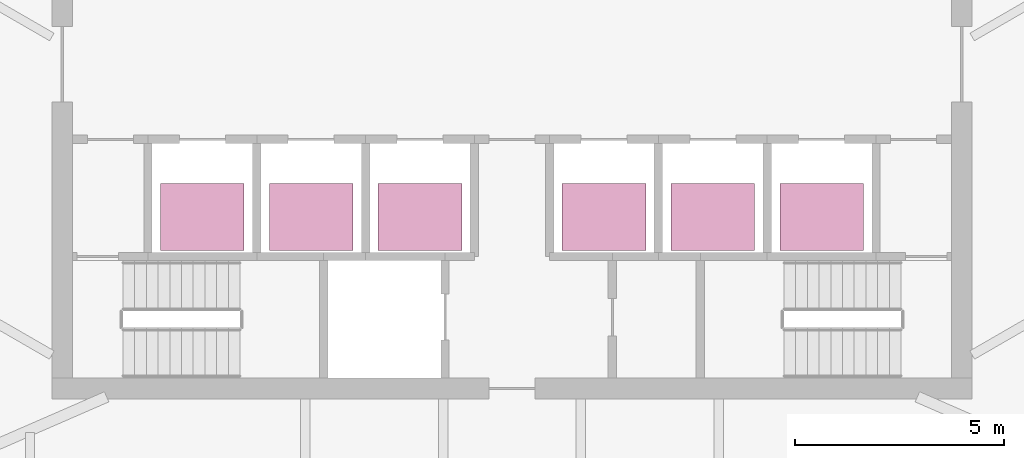
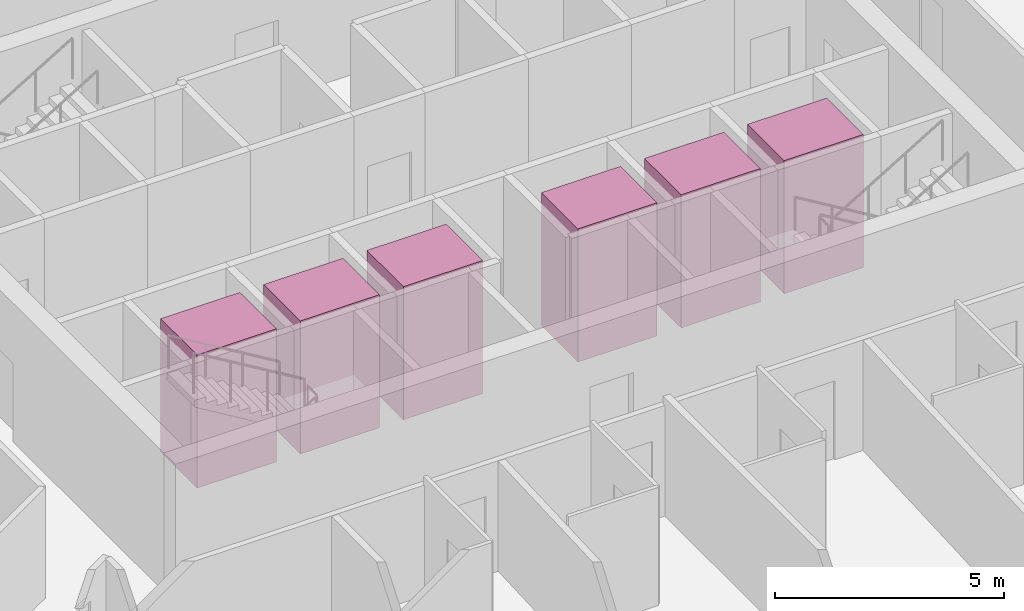
# One storey, part 19 of 19: 6 transport elements.
"""IFC4 building model written with IfcOpenShell, lengths in metres."""

from ifc_helpers import new_model, si_unit, direction, frame, origin, origin_2d, place, context, subcontext, project, spatial, rectangle, extrude, material, type_object, element, save


model = new_model("IFC4")

# Units and contexts
model_context = context("Model", 3, precision=1e-05, world=origin(), true_north=direction((0.0, 1.0)))
body_context = subcontext(model_context, "Body", "Model", "MODEL_VIEW")
ifc_project = project(units=[si_unit("LENGTHUNIT", "METRE"), si_unit("AREAUNIT", "SQUARE_METRE"), si_unit("VOLUMEUNIT", "CUBIC_METRE"), si_unit("PLANEANGLEUNIT", "RADIAN"), si_unit("MASSUNIT", "GRAM", prefix="KILO")], contexts=[model_context])

# Site, building, storey
site_placement = place(None, origin())
site = spatial("IfcSite", under=ifc_project, at=site_placement, CompositionType="ELEMENT")
building_placement = place(site_placement, origin())
building = spatial("IfcBuilding", under=site, at=building_placement, Name="Sierra Prisma Convention Tower", CompositionType="ELEMENT")
storey_placement = place(building_placement, frame((0.0, 0.0, 77.60009765625)))
storey = spatial("IfcBuildingStorey", under=building, at=storey_placement, Name="L15", CompositionType="ELEMENT", Elevation=77.60009765625)

# Transport elements
ifc_material = material(Name="Stainless steel", Category="steel")
transport_element_type = type_object("IfcTransportElementType", Name="Lift car hotel 2000x1600 1600 kg", PredefinedType="ELEVATOR", material=ifc_material)
for number, where, z_axis, x_axis, name in (
    (1, (-7.39990234375, -3.64990234375, 0.0), (0.0, 0.0, 1.0), (1.0, 0.0, 0.0), "Lift HT1"),
    (2, (-4.800048828125, -3.64990234375, 0.0), (0.0, 0.0, 1.0), (1.0, 0.0, 0.0), "Lift HT2"),
    (3, (-2.199951171875, -3.64990234375, 0.0), (0.0, 0.0, 1.0), (1.0, 0.0, 0.0), "Lift HT3"),
    (4, (2.199951171875, -3.64990234375, 0.0), (0.0, 0.0, 1.0), (1.0, 0.0, 0.0), "Lift HT4"),
    (5, (4.800048828125, -3.64990234375, 0.0), (0.0, 0.0, 1.0), (1.0, 0.0, 0.0), "Lift HT5"),
    (6, (7.39990234375, -3.64990234375, 0.0), (0.0, 0.0, 1.0), (1.0, 0.0, 0.0), "Lift HT6"),
):
    element("IfcTransportElement", number, at=place(storey_placement, frame(where, z_axis=z_axis, x_axis=x_axis)), inside=storey, type_object=transport_element_type, Name=name, PredefinedType="ELEVATOR", context=body_context, shape_type="SweptSolid", body=[
        extrude(rectangle(XDim=2.0, YDim=1.60009765625, at=origin_2d()), origin(), (0.0, 0.0, 1.0), 3.550048828125),
    ])

save(model, "model.ifc")
